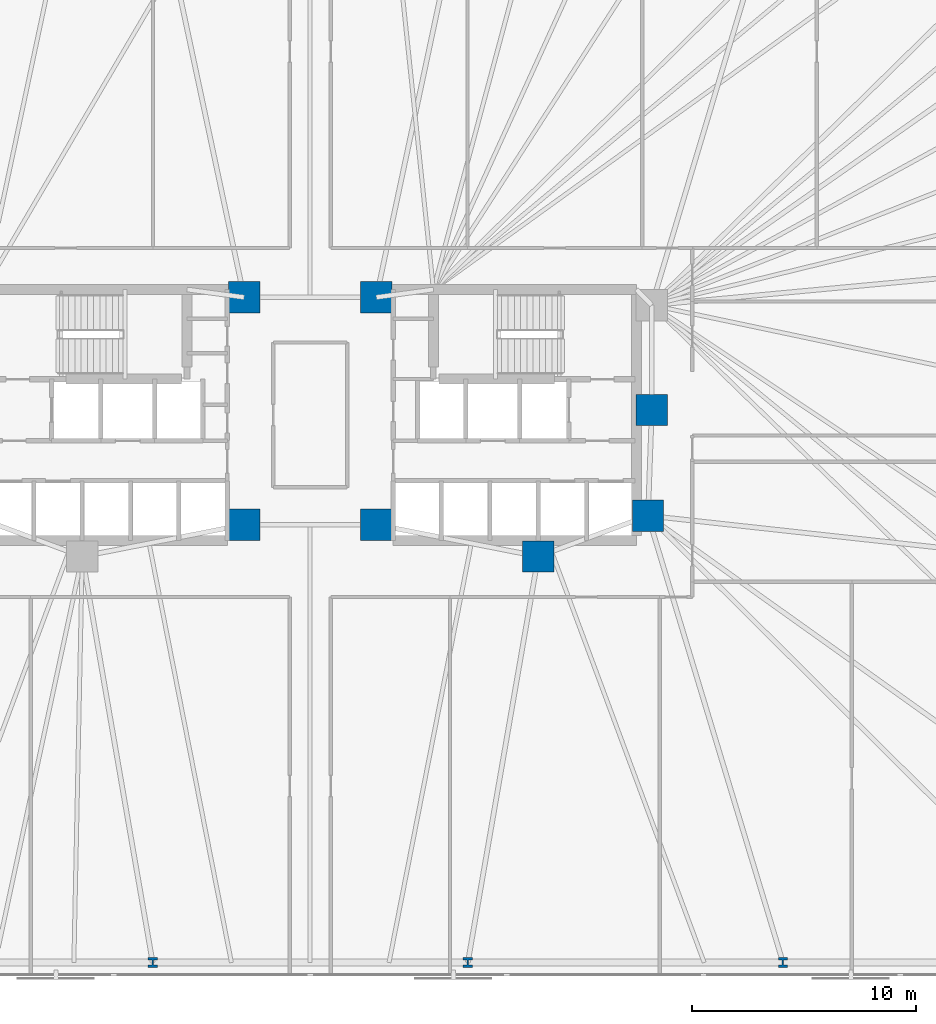
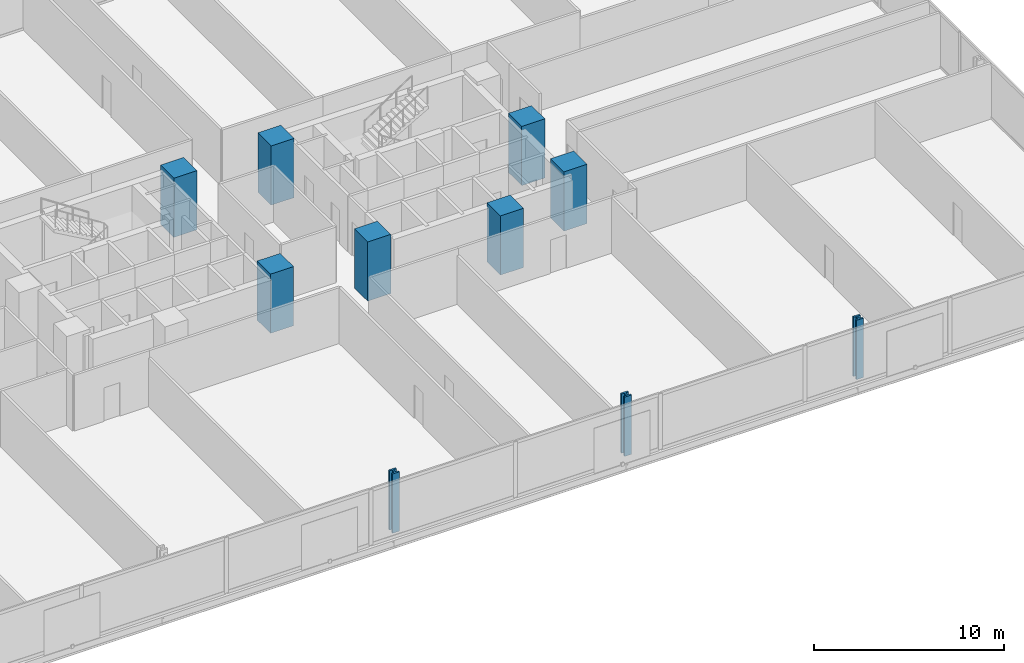
# One storey, part 3 of 17: 10 columns.
"""IFC4 building model written with IfcOpenShell, lengths in metres."""

from ifc_helpers import new_model, si_unit, direction, frame, origin, origin_2d, place, context, subcontext, project, spatial, rectangle, i_section, extrude, material, material_profile, profile_set, type_object, element, save


model = new_model("IFC4")

# Units and contexts
model_context = context("Model", 3, precision=1e-05, world=origin(), true_north=direction((0.0, 1.0)))
body_context = subcontext(model_context, "Body", "Model", "MODEL_VIEW")
ifc_project = project(units=[si_unit("LENGTHUNIT", "METRE"), si_unit("AREAUNIT", "SQUARE_METRE"), si_unit("VOLUMEUNIT", "CUBIC_METRE"), si_unit("PLANEANGLEUNIT", "RADIAN"), si_unit("MASSUNIT", "GRAM", prefix="KILO")], contexts=[model_context])

# Site, building, storey
site_placement = place(None, origin())
site = spatial("IfcSite", under=ifc_project, at=site_placement, CompositionType="ELEMENT")
building_placement = place(site_placement, origin())
building = spatial("IfcBuilding", under=site, at=building_placement, Name="Menara Jurai Vektor", CompositionType="ELEMENT")
storey_placement = place(building_placement, frame((0.0, 0.0, 37.0)))
storey = spatial("IfcBuildingStorey", under=building, at=storey_placement, Name="L08", CompositionType="ELEMENT", Elevation=37.0)

# Columns
ifc_material_1 = material(Name="Concrete C60/75", Category="concrete")
ifc_material_profile_1 = material_profile(ifc_material_1, rectangle(XDim=1.39990234375, YDim=1.39990234375, at=origin_2d()), Name="RC 1400x1400")
ifc_profile_set_1 = profile_set([ifc_material_profile_1], Name="Concrete C60/75")
column_type_1 = type_object("IfcColumnType", Name="STR-COL-RC1400", PredefinedType="COLUMN", material=ifc_profile_set_1)
for number, where, z_axis, x_axis, name in (
    (1, (-2.949951171875, -4.89990234375, 0.0), (0.0, 0.0, 1.0), (1.0, 0.0, 0.0), "Core Spine Column CW-SE L08"),
    (2, (-2.949951171875, 5.25, 0.0), (0.0, 0.0, 1.0), (1.0, 0.0, 0.0), "Core Spine Column CW-NE L08"),
    (3, (15.25, 0.219970703125, 0.0), (0.0, 0.0, 1.0), (1.0, 0.0, 0.0), "Core Spine Column CE-EM L08"),
    (4, (15.080078125, -4.5, 0.0), (0.0, 0.0, 1.0), (1.0, 0.0, 0.0), "Core Spine Column CE-SE L08"),
    (5, (10.179931640625, -6.320068359375, 0.0), (0.0, 0.0, 1.0), (1.0, 0.0, 0.0), "Core Spine Column CE-SM L08"),
    (6, (2.949951171875, -4.89990234375, 0.0), (0.0, 0.0, 1.0), (1.0, 0.0, 0.0), "Core Spine Column CE-SW L08"),
    (7, (2.949951171875, 5.25, 0.0), (0.0, 0.0, 1.0), (1.0, 0.0, 0.0), "Core Spine Column CE-NW L08"),
):
    element("IfcColumn", number, at=place(storey_placement, frame(where, z_axis=z_axis, x_axis=x_axis)), inside=storey, type_object=column_type_1, Name=name, PredefinedType="COLUMN", context=body_context, shape_type="SweptSolid", body=[
        extrude(rectangle(XDim=1.39990234375, YDim=1.39990234375, at=origin_2d()), origin(), (0.0, 0.0, 1.0), 3.800048828125),
    ])
ifc_material_2 = material(Name="Steel S460", Category="steel")
ifc_material_profile_2 = material_profile(ifc_material_2, i_section(OverallWidth=0.419921875, OverallDepth=0.430908203125, WebThickness=0.06494140625, FlangeThickness=0.10595703125, FilletRadius=0.014892578125, at=origin_2d()), Name="HD 400x900")
ifc_profile_set_2 = profile_set([ifc_material_profile_2], Name="Steel S460")
column_type_2 = type_object("IfcColumnType", Name="STR-EXO-BLK1", PredefinedType="COLUMN", material=ifc_profile_set_2)
for number, where, z_axis, x_axis, name in (
    (8, (-7.03564453125, -24.449951171875, 0.0), (0.0, 0.0, 1.0), (1.0, 0.0, 0.0), "Exoskeleton Column BLK1-S3 L08"),
    (9, (7.03564453125, -24.449951171875, 0.0), (0.0, 0.0, 1.0), (1.0, 0.0, 0.0), "Exoskeleton Column BLK1-S4 L08"),
    (10, (21.106689453125, -24.449951171875, 0.0), (0.0, 0.0, 1.0), (1.0, 0.0, 0.0), "Exoskeleton Column BLK1-S5 L08"),
):
    element("IfcColumn", number, at=place(storey_placement, frame(where, z_axis=z_axis, x_axis=x_axis)), inside=storey, type_object=column_type_2, Name=name, PredefinedType="COLUMN", context=body_context, shape_type="SweptSolid", body=[
        extrude(i_section(OverallWidth=0.419921875, OverallDepth=0.430908203125, WebThickness=0.06494140625, FlangeThickness=0.10595703125, FilletRadius=0.014892578125, at=origin_2d()), origin(), (0.0, 0.0, 1.0), 3.800048828125),
    ])

save(model, "model.ifc")
